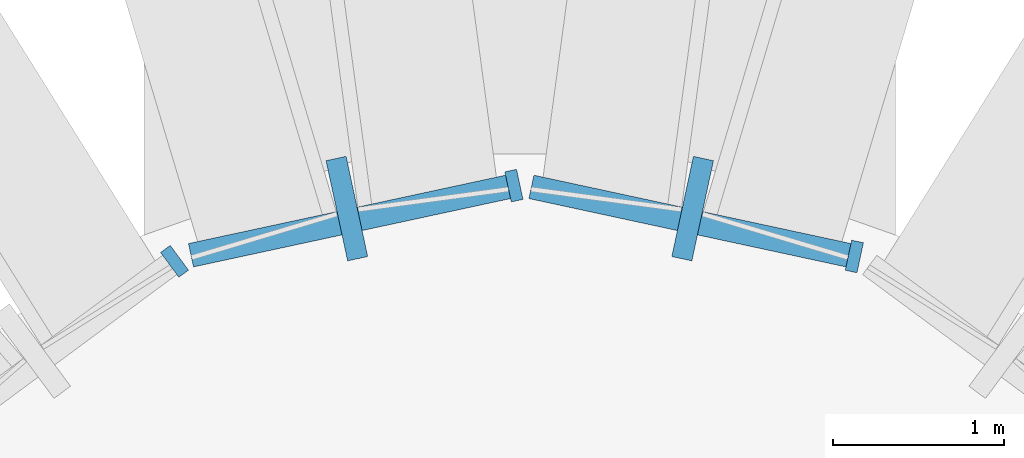
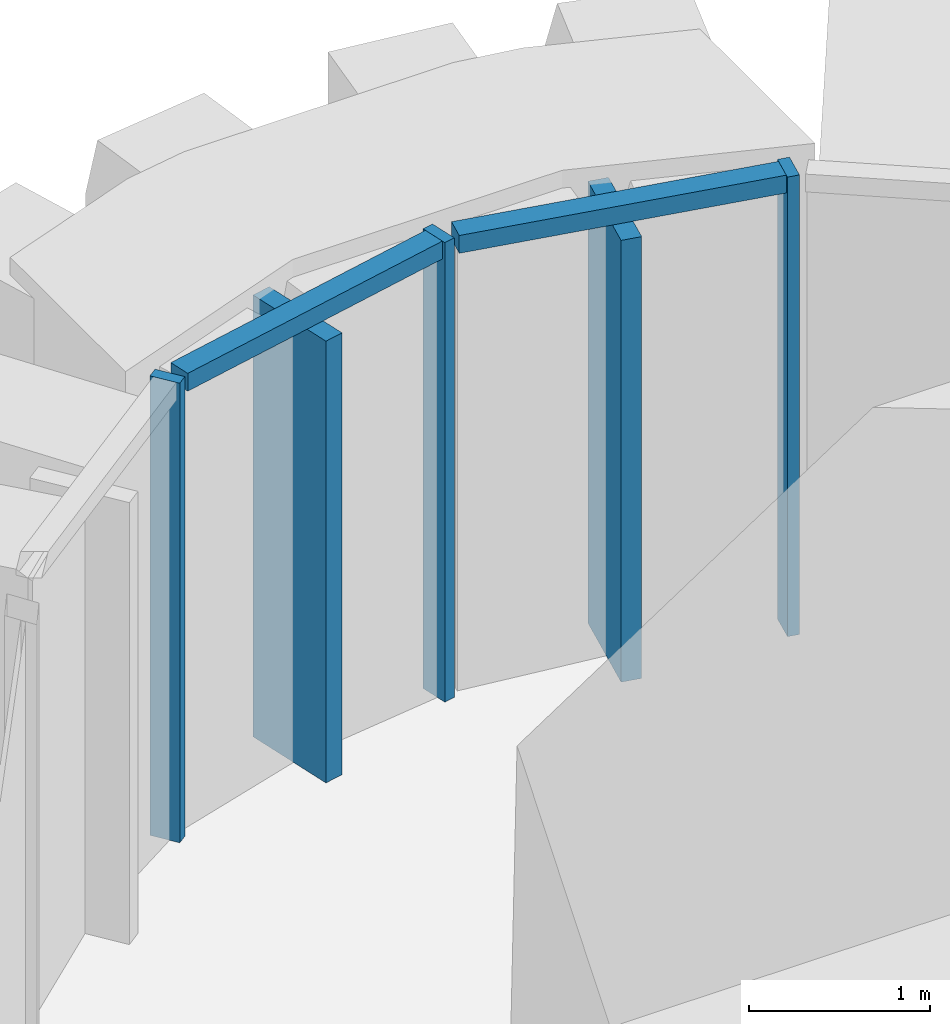
# One storey, part 9 of 24: 7 members, 3 elements without a shape of their own.
"""IFC4 building model written with IfcOpenShell, lengths in metres."""

import ifcopenshell
import ifcopenshell.guid

model = None  # the IFC model being written
_history = None  # IfcOwnerHistory: only IFC2X3 demands one
_inside = {}  # id of a spatial element -> (the spatial element, [elements in it])
_under = {}  # id of a project, library or spatial element -> (it, [spatial elements below it])
_declared = {}  # id of a project -> (the project, [libraries it declares])
_typed = {}  # id of a type object -> (the type object, [elements of that type])
_made_of = {}  # id of a material, layer set ... -> (it, [elements and type objects made of it])


def new_model(schema):
    """Start an empty IFC model of exactly this schema.

    Asked for "IFC4X3", IfcOpenShell would pick the latest addendum, in which some entities
    have other attributes; the version numbers below select the first issue.
    IFC2X3 requires an IfcOwnerHistory on every rooted entity: one is made here for all.
    """
    global model, _history
    if schema == "IFC4X3":
        model = ifcopenshell.file(schema_version=(4, 3, 0, 0))
    else:
        model = ifcopenshell.file(schema=schema)
    _inside.clear()
    _under.clear()
    _declared.clear()
    _typed.clear()
    _made_of.clear()
    _history = None
    if model.schema == "IFC2X3":
        org = make("IfcOrganization", Name="unknown")
        user = make(
            "IfcPersonAndOrganization",
            ThePerson=make("IfcPerson", FamilyName="unknown"),
            TheOrganization=org,
        )
        app = make(
            "IfcApplication",
            ApplicationDeveloper=org,
            Version="unknown",
            ApplicationFullName="unknown",
            ApplicationIdentifier="unknown",
        )
        _history = make(
            "IfcOwnerHistory",
            OwningUser=user,
            OwningApplication=app,
            ChangeAction="ADDED",
            CreationDate=0,
        )
    return model


def make(cls, **values):
    """One entity of the class cls with the attributes given. An attribute that is None is left unset."""
    return model.create_entity(
        cls, **{name: value for name, value in values.items() if value is not None}
    )


def rooted(cls, **values):
    """An entity with a GlobalId (a new one), such as an element, a storey or a relation."""
    return make(cls, GlobalId=ifcopenshell.guid.new(), OwnerHistory=_history, **values)


def si_unit(unit_type, name, prefix=None):
    """IfcSIUnit, for example si_unit("LENGTHUNIT", "METRE", prefix="MILLI")."""
    return make("IfcSIUnit", UnitType=unit_type, Prefix=prefix, Name=name)


def assignment(units):
    """IfcUnitAssignment: the units of a project."""
    return None if units is None else make("IfcUnitAssignment", Units=units)


def point(xyz):
    """IfcCartesianPoint."""
    return None if xyz is None else make("IfcCartesianPoint", Coordinates=xyz)


def direction(xyz):
    """IfcDirection."""
    return None if xyz is None else make("IfcDirection", DirectionRatios=xyz)


def frame(location, z_axis=None, x_axis=None):
    """IfcAxis2Placement3D, a coordinate frame: its origin and axes. An axis left out is left unset."""
    return make(
        "IfcAxis2Placement3D",
        Location=point(location),
        Axis=direction(z_axis),
        RefDirection=direction(x_axis),
    )


def frame_2d(location, x_axis=None):
    """IfcAxis2Placement2D, a coordinate frame in the plane: its origin and x axis."""
    return make(
        "IfcAxis2Placement2D", Location=point(location), RefDirection=direction(x_axis)
    )


def origin():
    """The frame at (0, 0, 0) with its axes left unset."""
    return frame((0.0, 0.0, 0.0))


def origin_2d():
    """The frame at (0, 0) in the plane with its x axis left unset."""
    return frame_2d((0.0, 0.0))


def place(relative_to, where):
    """IfcLocalPlacement: puts the frame where relative to a parent placement (None: the world)."""
    return make(
        "IfcLocalPlacement", PlacementRelTo=relative_to, RelativePlacement=where
    )


def context(
    kind, dimensions, precision=None, world=None, true_north=None, identifier=None
):
    """IfcGeometricRepresentationContext, for example the 3D "Model" context."""
    return make(
        "IfcGeometricRepresentationContext",
        ContextIdentifier=identifier,
        ContextType=kind,
        CoordinateSpaceDimension=dimensions,
        Precision=precision,
        WorldCoordinateSystem=world,
        TrueNorth=true_north,
    )


def subcontext(parent, identifier, kind, view, scale=None):
    """IfcGeometricRepresentationSubContext, for example "Body" below "Model"."""
    return make(
        "IfcGeometricRepresentationSubContext",
        ContextIdentifier=identifier,
        ContextType=kind,
        ParentContext=parent,
        TargetScale=scale,
        TargetView=view,
    )


def project(units=None, contexts=None):
    """IfcProject with its units and contexts."""
    return rooted(
        "IfcProject",
        Name="project",
        RepresentationContexts=contexts,
        UnitsInContext=assignment(units),
    )


def spatial(cls, under=None, at=None, **own):
    """A site, building, storey or space (cls), placed at a placement, below another one or the project."""
    s = rooted(cls, ObjectPlacement=at, **own)
    if under is not None:
        _under.setdefault(under.id(), (under, []))[1].append(s)
    return s


def profile(cls, at=None, kind="AREA", **sizes):
    """A parametric profile (cls). Its sizes go by their IFC names, for example OverallWidth=200.0."""
    return make(cls, ProfileType=kind, Position=at, **sizes)


def rectangle(**sizes):
    """IfcRectangleProfileDef."""
    return profile("IfcRectangleProfileDef", **sizes)


def extrude(swept, where, along, depth):
    """IfcExtrudedAreaSolid: the profile swept, set in the frame where, extruded along a direction by depth."""
    return make(
        "IfcExtrudedAreaSolid",
        SweptArea=swept,
        Position=where,
        ExtrudedDirection=direction(along),
        Depth=depth,
    )


def shape(context_of_items, identifier, shape_type, items):
    """IfcShapeRepresentation: the items that make up one representation, for example the "Body"."""
    return make(
        "IfcShapeRepresentation",
        ContextOfItems=context_of_items,
        RepresentationIdentifier=identifier,
        RepresentationType=shape_type,
        Items=items,
    )


def material(Name=None, Category=None):
    """IfcMaterial."""
    return make("IfcMaterial", Name=Name, Category=Category)


def layer(
    of_material, thickness, ventilated=None, Name=None, Category=None, Priority=None
):
    """IfcMaterialLayer: one layer of a wall or slab, of a material (None: an air gap)."""
    return make(
        "IfcMaterialLayer",
        Material=of_material,
        LayerThickness=thickness,
        IsVentilated=ventilated,
        Name=Name,
        Category=Category,
        Priority=Priority,
    )


def layer_set(layers, Name=None):
    """IfcMaterialLayerSet."""
    return make("IfcMaterialLayerSet", MaterialLayers=layers, LayerSetName=Name)


def material_profile(
    of_material, cross_section, Name=None, Category=None, Priority=None
):
    """IfcMaterialProfile: a cross section and its material."""
    return make(
        "IfcMaterialProfile",
        Name=Name,
        Material=of_material,
        Profile=cross_section,
        Priority=Priority,
        Category=Category,
    )


def profile_set(profiles, Name=None, composite=None):
    """IfcMaterialProfileSet."""
    return make(
        "IfcMaterialProfileSet",
        Name=Name,
        MaterialProfiles=profiles,
        CompositeProfile=composite,
    )


def made_of(thing, what):
    """Note that an element or type object is made of a material, layer set ...; save() writes the relation."""
    if what is not None:
        _made_of.setdefault(what.id(), (what, []))[1].append(thing)
    return thing


def type_object(cls, material=None, **own):
    """A type object (cls), such as IfcWallType, which elements share."""
    return made_of(rooted(cls, **own), material)


def element(
    cls,
    number,
    at=None,
    inside=None,
    cuts=None,
    type_object=None,
    material=None,
    context=None,
    identifier="Body",
    shape_type=None,
    held_by="IfcProductDefinitionShape",
    body=None,
    shapes=None,
    **own,
):
    """One element of the class cls, such as IfcWall. Its Tag is "e" and its number.

    at: its placement. inside: the storey or other place that contains it. cuts: it is an
    opening in that element (IfcRelVoidsElement). A single representation is given by context,
    identifier, shape_type and body (its items); several are given by shapes. held_by: the class
    of the entity that holds the representations. save() writes the other relations.
    """
    e = rooted(cls, Tag="e%d" % number, ObjectPlacement=at, **own)
    if body is not None:
        shapes = [shape(context, identifier, shape_type, body)]
    if shapes is not None:
        e.Representation = make(held_by, Representations=shapes)
    if inside is not None:
        _inside.setdefault(inside.id(), (inside, []))[1].append(e)
    if cuts is not None:
        rooted(
            "IfcRelVoidsElement", RelatingBuildingElement=cuts, RelatedOpeningElement=e
        )
    if type_object is not None:
        _typed.setdefault(type_object.id(), (type_object, []))[1].append(e)
    return made_of(e, material)


def aggregate(whole, parts):
    """IfcRelAggregates: a whole, such as a stair, and the parts it consists of."""
    return rooted("IfcRelAggregates", RelatingObject=whole, RelatedObjects=parts)


def save(model, path):
    """Write the relations noted so far, then the file.

    IfcRelAggregates (storeys below a building ...), IfcRelContainedInSpatialStructure (elements
    in a storey), IfcRelDefinesByType, IfcRelAssociatesMaterial and IfcRelDeclares: one each for
    every whole, place, type object, material and project.
    """
    for whole, parts in _under.values():
        aggregate(whole, parts)
    for where, things in _inside.values():
        rooted(
            "IfcRelContainedInSpatialStructure",
            RelatedElements=things,
            RelatingStructure=where,
        )
    for kind, things in _typed.values():
        rooted("IfcRelDefinesByType", RelatedObjects=things, RelatingType=kind)
    for what, things in _made_of.values():
        rooted("IfcRelAssociatesMaterial", RelatedObjects=things, RelatingMaterial=what)
    for by, libraries in _declared.values():
        rooted("IfcRelDeclares", RelatingContext=by, RelatedDefinitions=libraries)
    model.write(path)


model = new_model("IFC4")

# Units and contexts
model_context = context("Model", 3, precision=1e-05, world=origin(), true_north=direction((0.0, 1.0)))
body_context = subcontext(model_context, "Body", "Model", "MODEL_VIEW")
ifc_project = project(units=[si_unit("LENGTHUNIT", "METRE"), si_unit("AREAUNIT", "SQUARE_METRE"), si_unit("VOLUMEUNIT", "CUBIC_METRE"), si_unit("PLANEANGLEUNIT", "RADIAN"), si_unit("MASSUNIT", "GRAM", prefix="KILO")], contexts=[model_context])

# Site, building, storey
site_placement = place(None, origin())
site = spatial("IfcSite", under=ifc_project, at=site_placement, CompositionType="ELEMENT")
building_placement = place(site_placement, origin())
building = spatial("IfcBuilding", under=site, at=building_placement, Name="Sierra Prisma Convention Tower", CompositionType="ELEMENT")
storey_placement = place(building_placement, frame((0.0, 0.0, 55.39990234375)))
storey = spatial("IfcBuildingStorey", under=building, at=storey_placement, Name="L09", CompositionType="ELEMENT", Elevation=55.39990234375)

# Curtain wall, member
ifc_material_1 = material(Name="Aluminium and glass curtain wall", Category="aluminium")
ifc_layer = layer(ifc_material_1, 0.179931640625)
ifc_layer_set = layer_set([ifc_layer], Name="CW-2 Faceted crystal curtain wall")
curtain_wall_type = type_object("IfcCurtainWallType", Name="CW-2 Faceted crystal curtain wall", PredefinedType="NOTDEFINED", material=ifc_layer_set)
curtain_wall_1_placement = place(storey_placement, origin())
curtain_wall_1 = element("IfcCurtainWall", 1, at=curtain_wall_1_placement, inside=storey, type_object=curtain_wall_type, Name="CW-2 N2 L09", PredefinedType="NOTDEFINED")
ifc_material_2 = material(Name="Aluminium 6063-T6 bronze anodised", Category="aluminium")
ifc_material_profile_1 = material_profile(ifc_material_2, rectangle(XDim=0.1201171875, YDim=0.60009765625, at=origin_2d()), Name="ALU RIDGE BLADE 120x600")
ifc_profile_set_1 = profile_set([ifc_material_profile_1], Name="Aluminium 6063-T6 bronze anodised")
member_type_1 = type_object("IfcMemberType", Name="CW hip bronze", PredefinedType="MULLION", material=ifc_profile_set_1)
member_1_placement = place(storey_placement, frame((1.011962890625, 35.888427734375, 0.0), z_axis=(0.0, 0.0, 1.0), x_axis=(-0.977535714818, 0.210769841902, 0.0)))
member_1 = element("IfcMember", 2, at=member_1_placement, type_object=member_type_1, Name="CW-2 ridge N2.1", PredefinedType="MULLION", context=body_context, shape_type="SweptSolid", body=[
    extrude(rectangle(XDim=0.1201171875, YDim=0.60009765625, at=origin_2d()), origin(), (0.0, 0.0, 1.0), 2.97998046875),
])

curtain_wall_2_placement = place(storey_placement, origin())
curtain_wall_2 = element("IfcCurtainWall", 3, at=curtain_wall_2_placement, inside=storey, type_object=curtain_wall_type, Name="CW-2 N3 L09", PredefinedType="NOTDEFINED")
member_2_placement = place(storey_placement, frame((-1.011962890625, 35.888427734375, 0.0), z_axis=(0.0, 0.0, 1.0), x_axis=(-0.977535714818, -0.210769841902, 0.0)))
member_2 = element("IfcMember", 4, at=member_2_placement, type_object=member_type_1, Name="CW-2 ridge N3.1", PredefinedType="MULLION", context=body_context, shape_type="SweptSolid", body=[
    extrude(rectangle(XDim=0.1201171875, YDim=0.60009765625, at=origin_2d()), origin(), (0.0, 0.0, 1.0), 2.97998046875),
])

# Member
ifc_material_3 = material(Name="Aluminium 6063-T6 bronze anodised", Category="aluminium")
ifc_material_profile_2 = material_profile(ifc_material_3, rectangle(XDim=0.179931640625, YDim=0.070068359375, at=origin_2d()), Name="ALU MULLION 70x180")
ifc_profile_set_2 = profile_set([ifc_material_profile_2], Name="Aluminium 6063-T6 bronze anodised")
member_type_2 = type_object("IfcMemberType", Name="CW mullion bronze", PredefinedType="MULLION", material=ifc_profile_set_2)
member_3_placement = place(storey_placement, frame((1.95849609375, 35.608154296875, 0.0), z_axis=(0.0, 0.0, 1.0), x_axis=(-0.210769841902, -0.977535714818, 0.0)))
member_3 = element("IfcMember", 5, at=member_3_placement, type_object=member_type_2, Name="CW-1 mullion N2.1", PredefinedType="MULLION", context=body_context, shape_type="SweptSolid", body=[
    extrude(rectangle(XDim=0.179931640625, YDim=0.070068359375, at=origin_2d()), origin(), (0.0, 0.0, 1.0), 3.10009765625),
])

member_4_placement = place(storey_placement, frame((-0.0341796875, 36.02294921875, 0.0), z_axis=(0.0, 0.0, 1.0), x_axis=(0.210769841902, -0.977535714818, 0.0)))
member_4 = element("IfcMember", 6, at=member_4_placement, type_object=member_type_2, Name="CW-1 mullion N3.1", PredefinedType="MULLION", context=body_context, shape_type="SweptSolid", body=[
    extrude(rectangle(XDim=0.179931640625, YDim=0.070068359375, at=origin_2d()), origin(), (0.0, 0.0, 1.0), 3.10009765625),
])

# Curtain wall, member
curtain_wall_3_placement = place(storey_placement, origin())
curtain_wall_3 = element("IfcCurtainWall", 7, at=curtain_wall_3_placement, inside=storey, type_object=curtain_wall_type, Name="CW-2 N4 L09", PredefinedType="NOTDEFINED")
member_5_placement = place(storey_placement, frame((-2.020751953125, 35.579833984375, 0.0), z_axis=(0.0, 0.0, 1.0), x_axis=(0.594856630067, -0.803831816779, 0.0)))
member_5 = element("IfcMember", 8, at=member_5_placement, type_object=member_type_2, Name="CW-1 mullion N4.1", PredefinedType="MULLION", context=body_context, shape_type="SweptSolid", body=[
    extrude(rectangle(XDim=0.179931640625, YDim=0.070068359375, at=origin_2d()), origin(), (0.0, 0.0, 1.0), 3.10009765625),
])
aggregate(curtain_wall_3, [member_5])

# Member
ifc_material_4 = material(Name="Aluminium 6063-T6 bronze anodised", Category="aluminium")
ifc_material_profile_3 = material_profile(ifc_material_4, rectangle(XDim=0.139892578125, YDim=0.1201171875, at=origin_2d()), Name="ALU TRANSOM 120x140")
ifc_profile_set_3 = profile_set([ifc_material_profile_3], Name="Aluminium 6063-T6 bronze anodised")
member_type_3 = type_object("IfcMemberType", Name="CW transom bronze", PredefinedType="USERDEFINED", material=ifc_profile_set_3)
member_6_placement = place(storey_placement, frame((1.92431640625, 35.615478515625, 3.0400390625), z_axis=(-0.977538189279, 0.210758365197, 0.0), x_axis=(-0.210758365197, -0.977538189279, 0.0)))
member_6 = element("IfcMember", 9, at=member_6_placement, type_object=member_type_3, Name="CW-1 transom N2.1", ObjectType="TRANSOM", PredefinedType="USERDEFINED", context=body_context, shape_type="SweptSolid", body=[
    extrude(rectangle(XDim=0.139892578125, YDim=0.1201171875, at=origin_2d()), origin(), (0.0, 0.0, 1.0), 1.898681640625),
])

aggregate(curtain_wall_1, [member_3, member_6, member_1])

member_7_placement = place(storey_placement, frame((-0.068359375, 36.015625, 3.0400390625), z_axis=(-0.977538189279, -0.210758365197, 0.0), x_axis=(0.210758365197, -0.977538189279, 0.0)))
member_7 = element("IfcMember", 10, at=member_7_placement, type_object=member_type_3, Name="CW-1 transom N3.1", ObjectType="TRANSOM", PredefinedType="USERDEFINED", context=body_context, shape_type="SweptSolid", body=[
    extrude(rectangle(XDim=0.139892578125, YDim=0.1201171875, at=origin_2d()), origin(), (0.0, 0.0, 1.0), 1.898681640625),
])

aggregate(curtain_wall_2, [member_4, member_7, member_2])

save(model, "model.ifc")
